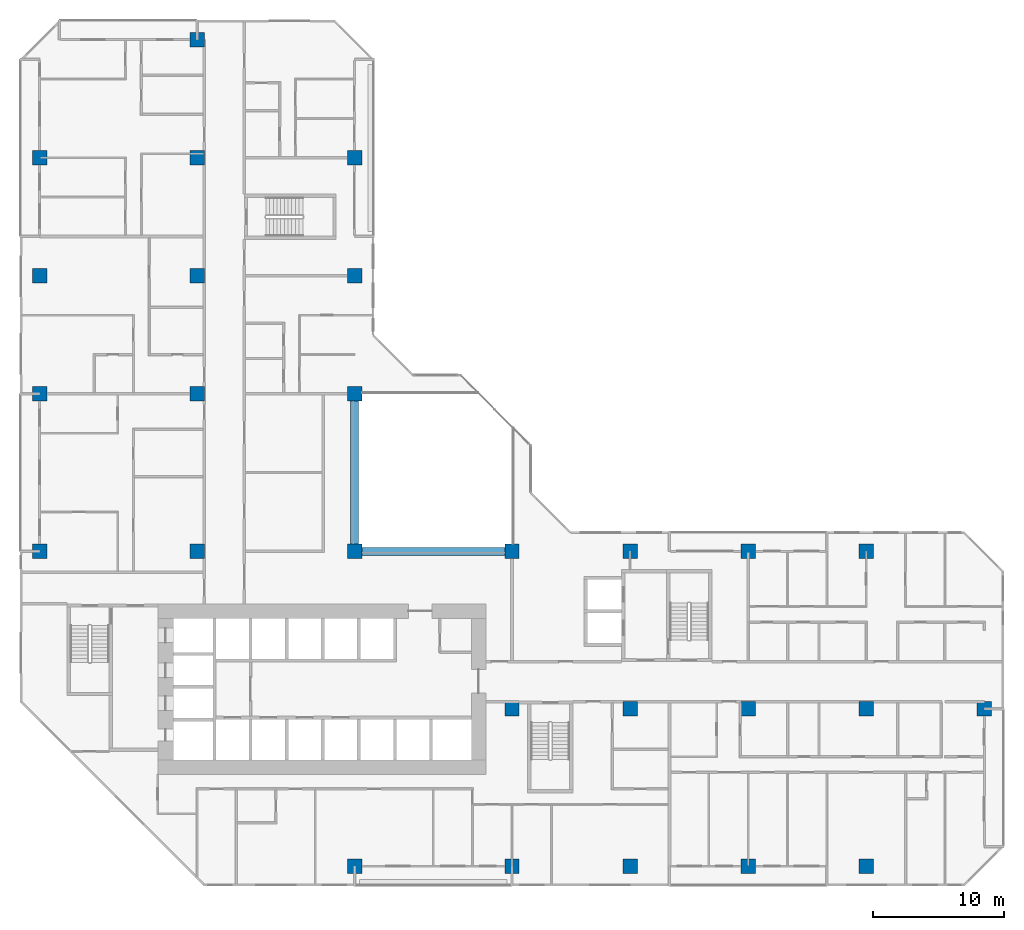
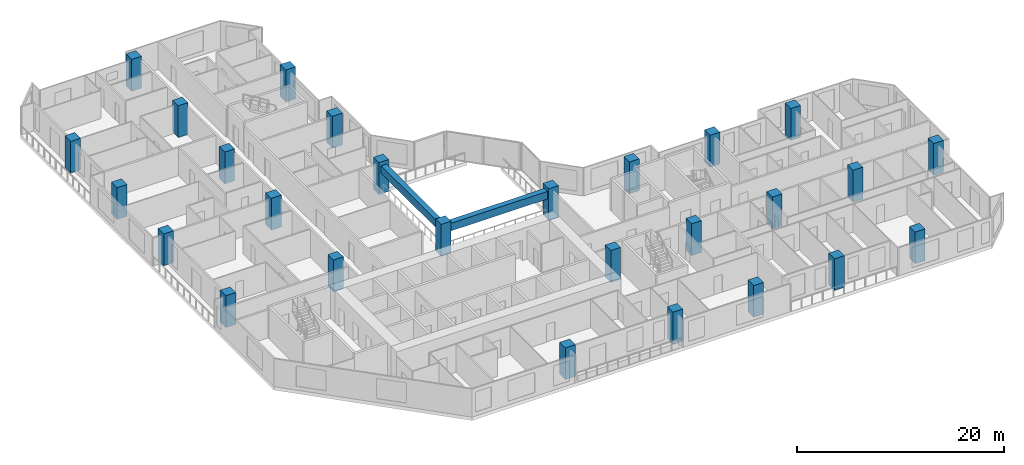
# One storey, part 1 of 16: 27 columns, 2 beams.
"""IFC4 building model written with IfcOpenShell, lengths in metres."""

import ifcopenshell
import ifcopenshell.guid

model = None  # the IFC model being written
_history = None  # IfcOwnerHistory: only IFC2X3 demands one
_inside = {}  # id of a spatial element -> (the spatial element, [elements in it])
_under = {}  # id of a project, library or spatial element -> (it, [spatial elements below it])
_declared = {}  # id of a project -> (the project, [libraries it declares])
_typed = {}  # id of a type object -> (the type object, [elements of that type])
_made_of = {}  # id of a material, layer set ... -> (it, [elements and type objects made of it])


def new_model(schema):
    """Start an empty IFC model of exactly this schema.

    Asked for "IFC4X3", IfcOpenShell would pick the latest addendum, in which some entities
    have other attributes; the version numbers below select the first issue.
    IFC2X3 requires an IfcOwnerHistory on every rooted entity: one is made here for all.
    """
    global model, _history
    if schema == "IFC4X3":
        model = ifcopenshell.file(schema_version=(4, 3, 0, 0))
    else:
        model = ifcopenshell.file(schema=schema)
    _inside.clear()
    _under.clear()
    _declared.clear()
    _typed.clear()
    _made_of.clear()
    _history = None
    if model.schema == "IFC2X3":
        org = make("IfcOrganization", Name="unknown")
        user = make(
            "IfcPersonAndOrganization",
            ThePerson=make("IfcPerson", FamilyName="unknown"),
            TheOrganization=org,
        )
        app = make(
            "IfcApplication",
            ApplicationDeveloper=org,
            Version="unknown",
            ApplicationFullName="unknown",
            ApplicationIdentifier="unknown",
        )
        _history = make(
            "IfcOwnerHistory",
            OwningUser=user,
            OwningApplication=app,
            ChangeAction="ADDED",
            CreationDate=0,
        )
    return model


def make(cls, **values):
    """One entity of the class cls with the attributes given. An attribute that is None is left unset."""
    return model.create_entity(
        cls, **{name: value for name, value in values.items() if value is not None}
    )


def rooted(cls, **values):
    """An entity with a GlobalId (a new one), such as an element, a storey or a relation."""
    return make(cls, GlobalId=ifcopenshell.guid.new(), OwnerHistory=_history, **values)


def si_unit(unit_type, name, prefix=None):
    """IfcSIUnit, for example si_unit("LENGTHUNIT", "METRE", prefix="MILLI")."""
    return make("IfcSIUnit", UnitType=unit_type, Prefix=prefix, Name=name)


def assignment(units):
    """IfcUnitAssignment: the units of a project."""
    return None if units is None else make("IfcUnitAssignment", Units=units)


def point(xyz):
    """IfcCartesianPoint."""
    return None if xyz is None else make("IfcCartesianPoint", Coordinates=xyz)


def direction(xyz):
    """IfcDirection."""
    return None if xyz is None else make("IfcDirection", DirectionRatios=xyz)


def frame(location, z_axis=None, x_axis=None):
    """IfcAxis2Placement3D, a coordinate frame: its origin and axes. An axis left out is left unset."""
    return make(
        "IfcAxis2Placement3D",
        Location=point(location),
        Axis=direction(z_axis),
        RefDirection=direction(x_axis),
    )


def frame_2d(location, x_axis=None):
    """IfcAxis2Placement2D, a coordinate frame in the plane: its origin and x axis."""
    return make(
        "IfcAxis2Placement2D", Location=point(location), RefDirection=direction(x_axis)
    )


def origin():
    """The frame at (0, 0, 0) with its axes left unset."""
    return frame((0.0, 0.0, 0.0))


def origin_2d():
    """The frame at (0, 0) in the plane with its x axis left unset."""
    return frame_2d((0.0, 0.0))


def place(relative_to, where):
    """IfcLocalPlacement: puts the frame where relative to a parent placement (None: the world)."""
    return make(
        "IfcLocalPlacement", PlacementRelTo=relative_to, RelativePlacement=where
    )


def context(
    kind, dimensions, precision=None, world=None, true_north=None, identifier=None
):
    """IfcGeometricRepresentationContext, for example the 3D "Model" context."""
    return make(
        "IfcGeometricRepresentationContext",
        ContextIdentifier=identifier,
        ContextType=kind,
        CoordinateSpaceDimension=dimensions,
        Precision=precision,
        WorldCoordinateSystem=world,
        TrueNorth=true_north,
    )


def subcontext(parent, identifier, kind, view, scale=None):
    """IfcGeometricRepresentationSubContext, for example "Body" below "Model"."""
    return make(
        "IfcGeometricRepresentationSubContext",
        ContextIdentifier=identifier,
        ContextType=kind,
        ParentContext=parent,
        TargetScale=scale,
        TargetView=view,
    )


def project(units=None, contexts=None):
    """IfcProject with its units and contexts."""
    return rooted(
        "IfcProject",
        Name="project",
        RepresentationContexts=contexts,
        UnitsInContext=assignment(units),
    )


def spatial(cls, under=None, at=None, **own):
    """A site, building, storey or space (cls), placed at a placement, below another one or the project."""
    s = rooted(cls, ObjectPlacement=at, **own)
    if under is not None:
        _under.setdefault(under.id(), (under, []))[1].append(s)
    return s


def profile(cls, at=None, kind="AREA", **sizes):
    """A parametric profile (cls). Its sizes go by their IFC names, for example OverallWidth=200.0."""
    return make(cls, ProfileType=kind, Position=at, **sizes)


def rectangle(**sizes):
    """IfcRectangleProfileDef."""
    return profile("IfcRectangleProfileDef", **sizes)


def extrude(swept, where, along, depth):
    """IfcExtrudedAreaSolid: the profile swept, set in the frame where, extruded along a direction by depth."""
    return make(
        "IfcExtrudedAreaSolid",
        SweptArea=swept,
        Position=where,
        ExtrudedDirection=direction(along),
        Depth=depth,
    )


def shape(context_of_items, identifier, shape_type, items):
    """IfcShapeRepresentation: the items that make up one representation, for example the "Body"."""
    return make(
        "IfcShapeRepresentation",
        ContextOfItems=context_of_items,
        RepresentationIdentifier=identifier,
        RepresentationType=shape_type,
        Items=items,
    )


def material(Name=None, Category=None):
    """IfcMaterial."""
    return make("IfcMaterial", Name=Name, Category=Category)


def material_profile(
    of_material, cross_section, Name=None, Category=None, Priority=None
):
    """IfcMaterialProfile: a cross section and its material."""
    return make(
        "IfcMaterialProfile",
        Name=Name,
        Material=of_material,
        Profile=cross_section,
        Priority=Priority,
        Category=Category,
    )


def profile_set(profiles, Name=None, composite=None):
    """IfcMaterialProfileSet."""
    return make(
        "IfcMaterialProfileSet",
        Name=Name,
        MaterialProfiles=profiles,
        CompositeProfile=composite,
    )


def made_of(thing, what):
    """Note that an element or type object is made of a material, layer set ...; save() writes the relation."""
    if what is not None:
        _made_of.setdefault(what.id(), (what, []))[1].append(thing)
    return thing


def type_object(cls, material=None, **own):
    """A type object (cls), such as IfcWallType, which elements share."""
    return made_of(rooted(cls, **own), material)


def element(
    cls,
    number,
    at=None,
    inside=None,
    cuts=None,
    type_object=None,
    material=None,
    context=None,
    identifier="Body",
    shape_type=None,
    held_by="IfcProductDefinitionShape",
    body=None,
    shapes=None,
    **own,
):
    """One element of the class cls, such as IfcWall. Its Tag is "e" and its number.

    at: its placement. inside: the storey or other place that contains it. cuts: it is an
    opening in that element (IfcRelVoidsElement). A single representation is given by context,
    identifier, shape_type and body (its items); several are given by shapes. held_by: the class
    of the entity that holds the representations. save() writes the other relations.
    """
    e = rooted(cls, Tag="e%d" % number, ObjectPlacement=at, **own)
    if body is not None:
        shapes = [shape(context, identifier, shape_type, body)]
    if shapes is not None:
        e.Representation = make(held_by, Representations=shapes)
    if inside is not None:
        _inside.setdefault(inside.id(), (inside, []))[1].append(e)
    if cuts is not None:
        rooted(
            "IfcRelVoidsElement", RelatingBuildingElement=cuts, RelatedOpeningElement=e
        )
    if type_object is not None:
        _typed.setdefault(type_object.id(), (type_object, []))[1].append(e)
    return made_of(e, material)


def aggregate(whole, parts):
    """IfcRelAggregates: a whole, such as a stair, and the parts it consists of."""
    return rooted("IfcRelAggregates", RelatingObject=whole, RelatedObjects=parts)


def save(model, path):
    """Write the relations noted so far, then the file.

    IfcRelAggregates (storeys below a building ...), IfcRelContainedInSpatialStructure (elements
    in a storey), IfcRelDefinesByType, IfcRelAssociatesMaterial and IfcRelDeclares: one each for
    every whole, place, type object, material and project.
    """
    for whole, parts in _under.values():
        aggregate(whole, parts)
    for where, things in _inside.values():
        rooted(
            "IfcRelContainedInSpatialStructure",
            RelatedElements=things,
            RelatingStructure=where,
        )
    for kind, things in _typed.values():
        rooted("IfcRelDefinesByType", RelatedObjects=things, RelatingType=kind)
    for what, things in _made_of.values():
        rooted("IfcRelAssociatesMaterial", RelatedObjects=things, RelatingMaterial=what)
    for by, libraries in _declared.values():
        rooted("IfcRelDeclares", RelatingContext=by, RelatedDefinitions=libraries)
    model.write(path)


model = new_model("IFC4")

# Units and contexts
model_context = context("Model", 3, precision=1e-05, world=origin(), true_north=direction((0.0, 1.0)))
body_context = subcontext(model_context, "Body", "Model", "MODEL_VIEW")
ifc_project = project(units=[si_unit("LENGTHUNIT", "METRE"), si_unit("AREAUNIT", "SQUARE_METRE"), si_unit("VOLUMEUNIT", "CUBIC_METRE"), si_unit("PLANEANGLEUNIT", "RADIAN"), si_unit("MASSUNIT", "GRAM", prefix="KILO")], contexts=[model_context])

# Site, building, storey
site_placement = place(None, origin())
site = spatial("IfcSite", under=ifc_project, at=site_placement, CompositionType="ELEMENT")
building_placement = place(site_placement, origin())
building = spatial("IfcBuilding", under=site, at=building_placement, Name="Chenar Terraces", CompositionType="ELEMENT")
storey_placement = place(building_placement, frame((0.0, 0.0, 82.64990234375)))
storey = spatial("IfcBuildingStorey", under=building, at=storey_placement, Name="L18", CompositionType="ELEMENT", Elevation=82.64990234375)

# Columns
ifc_material_1 = material(Name="Concrete C70/85", Category="concrete")
ifc_material_profile_1 = material_profile(ifc_material_1, rectangle(XDim=1.10009765625, YDim=1.10009765625, at=origin_2d()), Name="C 1100 x 1100")
ifc_profile_set_1 = profile_set([ifc_material_profile_1], Name="Concrete C70/85")
column_type = type_object("IfcColumnType", Name="Column C 1100 x 1100 Concrete C70/85", PredefinedType="COLUMN", material=ifc_profile_set_1)
column_1_placement = place(storey_placement, frame((0.0, 24.0, 0.0), z_axis=(0.0, 0.0, 1.0), x_axis=(1.0, 0.0, 0.0)))
element("IfcColumn", 1, at=column_1_placement, inside=storey, type_object=column_type, Name="Column 5/G L18", PredefinedType="COLUMN", context=body_context, shape_type="SweptSolid", body=[
    extrude(rectangle(XDim=1.10009765625, YDim=1.10009765625, at=origin_2d()), origin(), (0.0, 0.0, 1.0), 3.75),
])
column_2_placement = place(storey_placement, frame((0.0, 36.0, 0.0), z_axis=(0.0, 0.0, 1.0), x_axis=(1.0, 0.0, 0.0)))
element("IfcColumn", 2, at=column_2_placement, inside=storey, type_object=column_type, Name="Column 5/H L18", PredefinedType="COLUMN", context=body_context, shape_type="SweptSolid", body=[
    extrude(rectangle(XDim=1.10009765625, YDim=1.10009765625, at=origin_2d()), origin(), (0.0, 0.0, 1.0), 3.75),
])
for number, where, z_axis, x_axis, name in (
    (3, (0.0, 45.0, 0.0), (0.0, 0.0, 1.0), (1.0, 0.0, 0.0), "Column 5/J L18"),
    (4, (0.0, 54.0, 0.0), (0.0, 0.0, 1.0), (1.0, 0.0, 0.0), "Column 5/K L18"),
    (5, (12.0, 24.0, 0.0), (0.0, 0.0, 1.0), (1.0, 0.0, 0.0), "Column 6/G L18"),
    (6, (12.0, 36.0, 0.0), (0.0, 0.0, 1.0), (1.0, 0.0, 0.0), "Column 6/H L18"),
    (7, (12.0, 45.0, 0.0), (0.0, 0.0, 1.0), (1.0, 0.0, 0.0), "Column 6/J L18"),
    (8, (12.0, 54.0, 0.0), (0.0, 0.0, 1.0), (1.0, 0.0, 0.0), "Column 6/K L18"),
    (9, (12.0, 63.0, 0.0), (0.0, 0.0, 1.0), (1.0, 0.0, 0.0), "Column 6/L L18"),
    (10, (24.0, 0.0, 0.0), (0.0, 0.0, 1.0), (1.0, 0.0, 0.0), "Column 7/E L18"),
    (11, (24.0, 24.0, 0.0), (0.0, 0.0, 1.0), (1.0, 0.0, 0.0), "Column 7/G L18"),
    (12, (24.0, 36.0, 0.0), (0.0, 0.0, 1.0), (1.0, 0.0, 0.0), "Column 7/H L18"),
    (13, (24.0, 45.0, 0.0), (0.0, 0.0, 1.0), (1.0, 0.0, 0.0), "Column 7/J L18"),
    (14, (24.0, 54.0, 0.0), (0.0, 0.0, 1.0), (1.0, 0.0, 0.0), "Column 7/K L18"),
    (15, (36.0, 0.0, 0.0), (0.0, 0.0, 1.0), (1.0, 0.0, 0.0), "Column 8/E L18"),
    (16, (36.0, 12.0, 0.0), (0.0, 0.0, 1.0), (1.0, 0.0, 0.0), "Column 8/F L18"),
    (17, (36.0, 24.0, 0.0), (0.0, 0.0, 1.0), (1.0, 0.0, 0.0), "Column 8/G L18"),
    (18, (45.0, 0.0, 0.0), (0.0, 0.0, 1.0), (1.0, 0.0, 0.0), "Column 9/E L18"),
    (19, (45.0, 12.0, 0.0), (0.0, 0.0, 1.0), (1.0, 0.0, 0.0), "Column 9/F L18"),
    (20, (45.0, 24.0, 0.0), (0.0, 0.0, 1.0), (1.0, 0.0, 0.0), "Column 9/G L18"),
    (21, (54.0, 0.0, 0.0), (0.0, 0.0, 1.0), (1.0, 0.0, 0.0), "Column 10/E L18"),
    (22, (54.0, 12.0, 0.0), (0.0, 0.0, 1.0), (1.0, 0.0, 0.0), "Column 10/F L18"),
    (23, (54.0, 24.0, 0.0), (0.0, 0.0, 1.0), (1.0, 0.0, 0.0), "Column 10/G L18"),
    (24, (63.0, 0.0, 0.0), (0.0, 0.0, 1.0), (1.0, 0.0, 0.0), "Column 11/E L18"),
    (25, (63.0, 12.0, 0.0), (0.0, 0.0, 1.0), (1.0, 0.0, 0.0), "Column 11/F L18"),
    (26, (63.0, 24.0, 0.0), (0.0, 0.0, 1.0), (1.0, 0.0, 0.0), "Column 11/G L18"),
    (27, (72.0, 12.0, 0.0), (0.0, 0.0, 1.0), (1.0, 0.0, 0.0), "Column 12/F L18"),
):
    element("IfcColumn", number, at=place(storey_placement, frame(where, z_axis=z_axis, x_axis=x_axis)), inside=storey, type_object=column_type, Name=name, PredefinedType="COLUMN", context=body_context, shape_type="SweptSolid", body=[
        extrude(rectangle(XDim=1.10009765625, YDim=1.10009765625, at=origin_2d()), origin(), (0.0, 0.0, 1.0), 3.75),
    ])

# Beams
ifc_material_2 = material(Name="Concrete C40/50", Category="concrete")
ifc_material_profile_2 = material_profile(ifc_material_2, rectangle(XDim=0.60009765625, YDim=0.89990234375, at=origin_2d()), Name="RC 600 x 900")
ifc_profile_set_2 = profile_set([ifc_material_profile_2], Name="Concrete C40/50")
beam_type = type_object("IfcBeamType", Name="Atrium edge beam 600 x 900 Concrete C40/50", PredefinedType="BEAM", material=ifc_profile_set_2)
for number, where, z_axis, x_axis, name in (
    (28, (24.550048828125, 24.0, 2.85009765625), (1.0, 0.0, 0.0), (0.0, 1.0, 0.0), "Atrium edge beam L19 1"),
    (29, (24.0, 35.449951171875, 2.85009765625), (0.0, -1.0, 0.0), (1.0, 0.0, 0.0), "Atrium edge beam L19 4"),
):
    element("IfcBeam", number, at=place(storey_placement, frame(where, z_axis=z_axis, x_axis=x_axis)), inside=storey, type_object=beam_type, Name=name, PredefinedType="BEAM", context=body_context, shape_type="SweptSolid", body=[
        extrude(rectangle(XDim=0.60009765625, YDim=0.89990234375, at=origin_2d()), origin(), (0.0, 0.0, 1.0), 10.89990234375),
    ])

save(model, "model.ifc")
